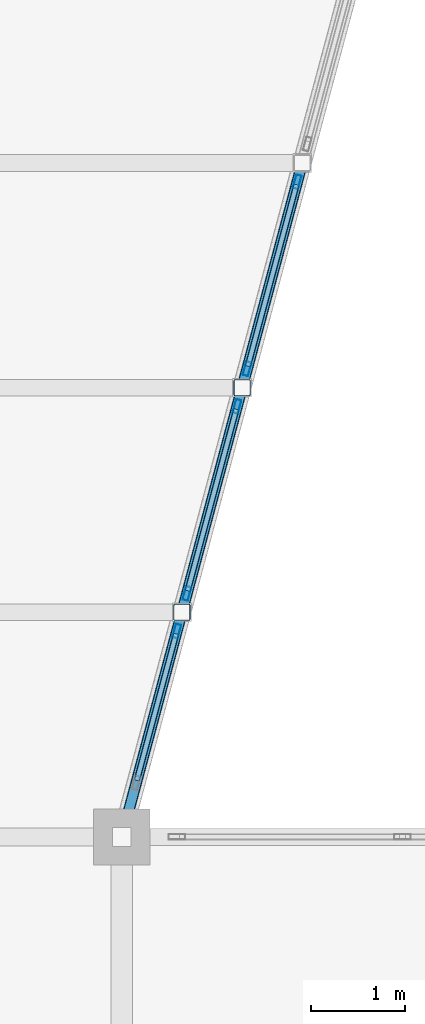
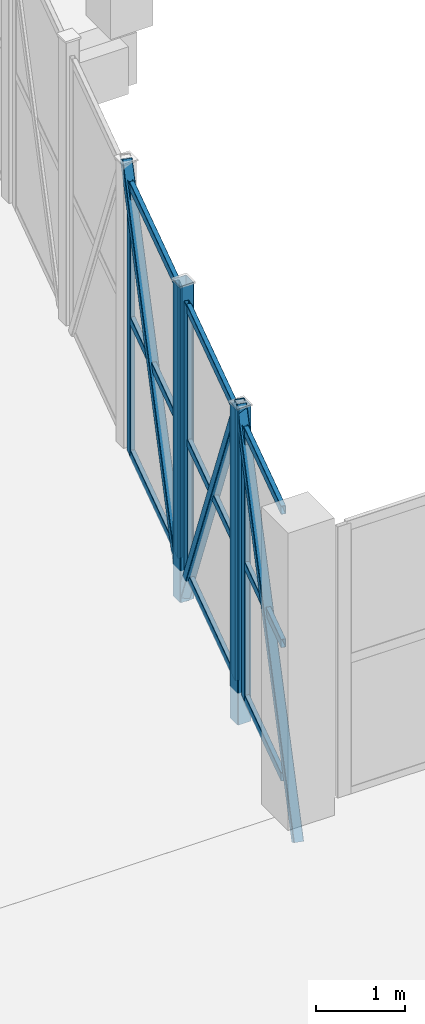
# One storey, part 81 of 127: 19 members, 3 elements without a shape of their own.
"""IFC4 building model written with IfcOpenShell, lengths in metres."""

from ifc_helpers import new_model, si_unit, direction, frame, origin, origin_2d, place, context, subcontext, project, spatial, hollow_rectangle, extrude, material, layer, layer_set, material_profile, profile_set, type_object, element, aggregate, save


model = new_model("IFC4")

# Units and contexts
model_context = context("Model", 3, precision=1e-05, world=origin(), true_north=direction((0.0, 1.0)))
body_context = subcontext(model_context, "Body", "Model", "MODEL_VIEW")
ifc_project = project(units=[si_unit("LENGTHUNIT", "METRE"), si_unit("AREAUNIT", "SQUARE_METRE"), si_unit("VOLUMEUNIT", "CUBIC_METRE"), si_unit("PLANEANGLEUNIT", "RADIAN"), si_unit("MASSUNIT", "GRAM", prefix="KILO")], contexts=[model_context])

# Site, building, storey
site_placement = place(None, origin())
site = spatial("IfcSite", under=ifc_project, at=site_placement, CompositionType="ELEMENT")
building_placement = place(site_placement, origin())
building = spatial("IfcBuilding", under=site, at=building_placement, Name="Dunvalen Ferry Terminal", CompositionType="ELEMENT")
storey_placement = place(building_placement, frame((0.0, 0.0, 5.760009765625)))
storey = spatial("IfcBuildingStorey", under=building, at=storey_placement, Name="L01", CompositionType="ELEMENT", Elevation=5.760009765625)

# Curtain wall, member
ifc_material_1 = material(Name="Anodised marine aluminium and solar-control glazing", Category="aluminium")
ifc_layer = layer(ifc_material_1, 0.159912109375, Name="Anodised marine aluminium and solar-control glazing")
ifc_layer_set = layer_set([ifc_layer], Name="Anodised marine aluminium and solar-control glazing")
curtain_wall_type = type_object("IfcCurtainWallType", Name="ENV-CW-SYS-07", PredefinedType="NOTDEFINED", material=ifc_layer_set)
curtain_wall_1_placement = place(storey_placement, origin())
curtain_wall_1 = element("IfcCurtainWall", 1, at=curtain_wall_1_placement, inside=storey, type_object=curtain_wall_type, Name="L01 Curtain Wall CW-BRG2-S2-1", PredefinedType="NOTDEFINED")
ifc_material_2 = material(Name="Anodised marine aluminium EN AW-6063 T6", Category="aluminium")
ifc_material_profile_1 = material_profile(ifc_material_2, hollow_rectangle(XDim=0.06005859375, YDim=0.14990234375, WallThickness=0.00341796875, InnerFilletRadius=0.00341796875, OuterFilletRadius=0.007080078125, at=origin_2d()), Name="Anodised marine aluminium EN AW-6063 T6")
ifc_profile_set_1 = profile_set([ifc_material_profile_1], Name="Anodised marine aluminium EN AW-6063 T6")
member_type_1 = type_object("IfcMemberType", Name="ENV-CW-MUL-3", PredefinedType="MULLION", material=ifc_profile_set_1)
member_1_placement = place(storey_placement, frame((138.589111328125, 88.59814453125, 0.0), z_axis=(0.0, 0.0, 1.0), x_axis=(-0.965919306501, 0.258843376057, 0.0)))
member_1 = element("IfcMember", 2, at=member_1_placement, type_object=member_type_1, Name="CW-07 mullion 2", PredefinedType="MULLION", context=body_context, shape_type="SweptSolid", body=[
    extrude(hollow_rectangle(XDim=0.06005859375, YDim=0.14990234375, WallThickness=0.00341796875, InnerFilletRadius=0.00341796875, OuterFilletRadius=0.007080078125, at=origin_2d()), origin(), (0.0, 0.0, 1.0), 3.719970703125),
])

# Curtain wall, members
curtain_wall_2_placement = place(storey_placement, origin())
curtain_wall_2 = element("IfcCurtainWall", 3, at=curtain_wall_2_placement, inside=storey, type_object=curtain_wall_type, Name="L01 Curtain Wall CW-BRG2-S2-2", PredefinedType="NOTDEFINED")
member_2_placement = place(storey_placement, frame((138.697265625, 89.001708984375, 0.0), z_axis=(0.0, 0.0, 1.0), x_axis=(-0.9659228666, 0.258830090561, 0.0)))
member_2 = element("IfcMember", 4, at=member_2_placement, type_object=member_type_1, Name="CW-07 mullion 1", PredefinedType="MULLION", context=body_context, shape_type="SweptSolid", body=[
    extrude(hollow_rectangle(XDim=0.06005859375, YDim=0.14990234375, WallThickness=0.00341796875, InnerFilletRadius=0.00341796875, OuterFilletRadius=0.007080078125, at=origin_2d()), origin(), (0.0, 0.0, 1.0), 3.719970703125),
])
member_3_placement = place(storey_placement, frame((139.232177734375, 90.998291015625, 0.0), z_axis=(0.0, 0.0, 1.0), x_axis=(-0.9659228666, 0.258830090561, 0.0)))
member_3 = element("IfcMember", 5, at=member_3_placement, type_object=member_type_1, Name="CW-07 mullion 2", PredefinedType="MULLION", context=body_context, shape_type="SweptSolid", body=[
    extrude(hollow_rectangle(XDim=0.06005859375, YDim=0.14990234375, WallThickness=0.00341796875, InnerFilletRadius=0.00341796875, OuterFilletRadius=0.007080078125, at=origin_2d()), origin(), (0.0, 0.0, 1.0), 3.719970703125),
])

curtain_wall_3_placement = place(storey_placement, origin())
curtain_wall_3 = element("IfcCurtainWall", 6, at=curtain_wall_3_placement, inside=storey, type_object=curtain_wall_type, Name="L01 Curtain Wall CW-BRG2-S2-3", PredefinedType="NOTDEFINED")
member_4_placement = place(storey_placement, frame((139.34033203125, 91.40185546875, 0.0), z_axis=(0.0, 0.0, 1.0), x_axis=(-0.965934620531, 0.258786222315, 0.0)))
member_4 = element("IfcMember", 7, at=member_4_placement, type_object=member_type_1, Name="CW-07 mullion 1", PredefinedType="MULLION", context=body_context, shape_type="SweptSolid", body=[
    extrude(hollow_rectangle(XDim=0.06005859375, YDim=0.14990234375, WallThickness=0.00341796875, InnerFilletRadius=0.00341796875, OuterFilletRadius=0.007080078125, at=origin_2d()), origin(), (0.0, 0.0, 1.0), 3.719970703125),
])
member_5_placement = place(storey_placement, frame((139.875244140625, 93.398193359375, 0.0), z_axis=(0.0, 0.0, 1.0), x_axis=(-0.965934620531, 0.258786222315, 0.0)))
member_5 = element("IfcMember", 8, at=member_5_placement, type_object=member_type_1, Name="CW-07 mullion 2", PredefinedType="MULLION", context=body_context, shape_type="SweptSolid", body=[
    extrude(hollow_rectangle(XDim=0.06005859375, YDim=0.14990234375, WallThickness=0.00341796875, InnerFilletRadius=0.00341796875, OuterFilletRadius=0.007080078125, at=origin_2d()), origin(), (0.0, 0.0, 1.0), 3.719970703125),
])

# Member
ifc_material_profile_2 = material_profile(ifc_material_2, hollow_rectangle(XDim=0.06005859375, YDim=0.114990234375, WallThickness=0.0029296875, InnerFilletRadius=0.0029296875, OuterFilletRadius=0.006103515625, at=origin_2d()), Name="Anodised marine aluminium EN AW-6063 T6")
ifc_profile_set_2 = profile_set([ifc_material_profile_2], Name="Anodised marine aluminium EN AW-6063 T6")
member_type_2 = type_object("IfcMemberType", Name="ENV-CW-TRN-3", PredefinedType="USERDEFINED", material=ifc_profile_set_2)
member_6_placement = place(storey_placement, frame((138.162109375, 87.005126953125, 0.030029296875), z_axis=(0.258854143134, 0.965916421117, 0.0), x_axis=(-0.965916421117, 0.258854143134, 0.0)))
member_6 = element("IfcMember", 9, at=member_6_placement, type_object=member_type_2, Name="CW-07 transom 1.1", ObjectType="TRANSOM", PredefinedType="USERDEFINED", context=body_context, shape_type="SweptSolid", body=[
    extrude(hollow_rectangle(XDim=0.06005859375, YDim=0.114990234375, WallThickness=0.0029296875, InnerFilletRadius=0.0029296875, OuterFilletRadius=0.006103515625, at=origin_2d()), origin(), (0.0, 0.0, 1.0), 1.619384765625),
])

member_7_placement = place(storey_placement, frame((138.162109375, 87.005126953125, 1.860107421875), z_axis=(0.258854143134, 0.965916421117, 0.0), x_axis=(-0.965916421117, 0.258854143134, 0.0)))
member_7 = element("IfcMember", 10, at=member_7_placement, type_object=member_type_2, Name="CW-07 transom 1.2", ObjectType="TRANSOM", PredefinedType="USERDEFINED", context=body_context, shape_type="SweptSolid", body=[
    extrude(hollow_rectangle(XDim=0.06005859375, YDim=0.114990234375, WallThickness=0.0029296875, InnerFilletRadius=0.0029296875, OuterFilletRadius=0.006103515625, at=origin_2d()), origin(), (0.0, 0.0, 1.0), 1.619384765625),
])

member_8_placement = place(storey_placement, frame((138.162109375, 87.005126953125, 3.68994140625), z_axis=(0.258854143134, 0.965916421117, 0.0), x_axis=(-0.965916421117, 0.258854143134, 0.0)))
member_8 = element("IfcMember", 11, at=member_8_placement, type_object=member_type_2, Name="CW-07 transom 1.3", ObjectType="TRANSOM", PredefinedType="USERDEFINED", context=body_context, shape_type="SweptSolid", body=[
    extrude(hollow_rectangle(XDim=0.06005859375, YDim=0.114990234375, WallThickness=0.0029296875, InnerFilletRadius=0.0029296875, OuterFilletRadius=0.006103515625, at=origin_2d()), origin(), (0.0, 0.0, 1.0), 1.619384765625),
])

aggregate(curtain_wall_1, [member_1, member_6, member_7, member_8])

member_9_placement = place(storey_placement, frame((138.704833984375, 89.03076171875, 0.030029296875), z_axis=(0.258873913014, 0.965911122806, 0.0), x_axis=(-0.965911122806, 0.258873913014, 0.0)))
member_9 = element("IfcMember", 12, at=member_9_placement, type_object=member_type_2, Name="CW-07 transom 1.1", ObjectType="TRANSOM", PredefinedType="USERDEFINED", context=body_context, shape_type="SweptSolid", body=[
    extrude(hollow_rectangle(XDim=0.06005859375, YDim=0.114990234375, WallThickness=0.0029296875, InnerFilletRadius=0.0029296875, OuterFilletRadius=0.006103515625, at=origin_2d()), origin(), (0.0, 0.0, 1.0), 2.0068359375),
])

member_10_placement = place(storey_placement, frame((138.704833984375, 89.03076171875, 1.860107421875), z_axis=(0.258873913014, 0.965911122806, 0.0), x_axis=(-0.965911122806, 0.258873913014, 0.0)))
member_10 = element("IfcMember", 13, at=member_10_placement, type_object=member_type_2, Name="CW-07 transom 1.2", ObjectType="TRANSOM", PredefinedType="USERDEFINED", context=body_context, shape_type="SweptSolid", body=[
    extrude(hollow_rectangle(XDim=0.06005859375, YDim=0.114990234375, WallThickness=0.0029296875, InnerFilletRadius=0.0029296875, OuterFilletRadius=0.006103515625, at=origin_2d()), origin(), (0.0, 0.0, 1.0), 2.0068359375),
])

member_11_placement = place(storey_placement, frame((138.704833984375, 89.03076171875, 3.68994140625), z_axis=(0.258873913014, 0.965911122806, 0.0), x_axis=(-0.965911122806, 0.258873913014, 0.0)))
member_11 = element("IfcMember", 14, at=member_11_placement, type_object=member_type_2, Name="CW-07 transom 1.3", ObjectType="TRANSOM", PredefinedType="USERDEFINED", context=body_context, shape_type="SweptSolid", body=[
    extrude(hollow_rectangle(XDim=0.06005859375, YDim=0.114990234375, WallThickness=0.0029296875, InnerFilletRadius=0.0029296875, OuterFilletRadius=0.006103515625, at=origin_2d()), origin(), (0.0, 0.0, 1.0), 2.0068359375),
])

aggregate(curtain_wall_2, [member_2, member_3, member_9, member_10, member_11])

member_12_placement = place(storey_placement, frame((139.34814453125, 91.4306640625, 0.030029296875), z_axis=(0.258760408924, 0.965941535898, 0.0), x_axis=(-0.965941535898, 0.258760408924, 0.0)))
member_12 = element("IfcMember", 15, at=member_12_placement, type_object=member_type_2, Name="CW-07 transom 1.1", ObjectType="TRANSOM", PredefinedType="USERDEFINED", context=body_context, shape_type="SweptSolid", body=[
    extrude(hollow_rectangle(XDim=0.06005859375, YDim=0.114990234375, WallThickness=0.0029296875, InnerFilletRadius=0.0029296875, OuterFilletRadius=0.006103515625, at=origin_2d()), origin(), (0.0, 0.0, 1.0), 2.0068359375),
])

member_13_placement = place(storey_placement, frame((139.34814453125, 91.4306640625, 1.860107421875), z_axis=(0.258760408924, 0.965941535898, 0.0), x_axis=(-0.965941535898, 0.258760408924, 0.0)))
member_13 = element("IfcMember", 16, at=member_13_placement, type_object=member_type_2, Name="CW-07 transom 1.2", ObjectType="TRANSOM", PredefinedType="USERDEFINED", context=body_context, shape_type="SweptSolid", body=[
    extrude(hollow_rectangle(XDim=0.06005859375, YDim=0.114990234375, WallThickness=0.0029296875, InnerFilletRadius=0.0029296875, OuterFilletRadius=0.006103515625, at=origin_2d()), origin(), (0.0, 0.0, 1.0), 2.0068359375),
])

member_14_placement = place(storey_placement, frame((139.34814453125, 91.4306640625, 3.68994140625), z_axis=(0.258760408924, 0.965941535898, 0.0), x_axis=(-0.965941535898, 0.258760408924, 0.0)))
member_14 = element("IfcMember", 17, at=member_14_placement, type_object=member_type_2, Name="CW-07 transom 1.3", ObjectType="TRANSOM", PredefinedType="USERDEFINED", context=body_context, shape_type="SweptSolid", body=[
    extrude(hollow_rectangle(XDim=0.06005859375, YDim=0.114990234375, WallThickness=0.0029296875, InnerFilletRadius=0.0029296875, OuterFilletRadius=0.006103515625, at=origin_2d()), origin(), (0.0, 0.0, 1.0), 2.0068359375),
])

aggregate(curtain_wall_3, [member_4, member_5, member_12, member_13, member_14])

# Members
ifc_material_3 = material(Name="Steel S355", Category="steel")
ifc_material_profile_3 = material_profile(ifc_material_3, hollow_rectangle(XDim=0.1201171875, YDim=0.1201171875, WallThickness=0.00634765625, InnerFilletRadius=0.00634765625, OuterFilletRadius=0.0126953125, at=origin_2d()), Name="Steel S355")
ifc_profile_set_3 = profile_set([ifc_material_profile_3], Name="Steel S355")
member_type_3 = type_object("IfcMemberType", Name="STR-MB-SHS120", PredefinedType="BRACE", material=ifc_profile_set_3)
for number, where, z_axis, x_axis, name in (
    (18, (138.0, 86.39990234375, -0.43994140625), (0.128591470582, 0.47994789191, 0.867821556972), (-0.965930947833, 0.258799930484, 0.0), "Boarding Bridge 2 Warren Diagonal 2.1"),
    (19, (138.64306640625, 88.800048828125, 3.89990234375), (0.128594483559, 0.479910316395, -0.867841890563), (-0.965924366126, 0.258824494443, 0.0), "Boarding Bridge 2 Warren Diagonal 2.2"),
    (20, (139.2861328125, 91.199951171875, -0.43994140625), (0.128591470582, 0.47994789191, 0.867821556972), (-0.965930947833, 0.258799930484, 0.0), "Boarding Bridge 2 Warren Diagonal 2.3"),
):
    element("IfcMember", number, at=place(storey_placement, frame(where, z_axis=z_axis, x_axis=x_axis)), inside=storey, type_object=member_type_3, Name=name, PredefinedType="BRACE", context=body_context, shape_type="SweptSolid", body=[
        extrude(hollow_rectangle(XDim=0.1201171875, YDim=0.1201171875, WallThickness=0.00634765625, InnerFilletRadius=0.00634765625, OuterFilletRadius=0.0126953125, at=origin_2d()), origin(), (0.0, 0.0, 1.0), 5.000732421875),
    ])
ifc_material_profile_4 = material_profile(ifc_material_3, hollow_rectangle(XDim=0.179931640625, YDim=0.179931640625, WallThickness=0.008056640625, InnerFilletRadius=0.008056640625, OuterFilletRadius=0.01611328125, at=origin_2d()), Name="Steel S355")
ifc_profile_set_4 = profile_set([ifc_material_profile_4], Name="Steel S355")
member_type_4 = type_object("IfcMemberType", Name="STR-MB-SHS180", PredefinedType="STRUT", material=ifc_profile_set_4)
for number, where, z_axis, x_axis, name in (
    (21, (138.64306640625, 88.800048828125, -0.43994140625), (0.0, 0.0, 1.0), (1.0, 0.0, 0.0), "Boarding Bridge 2 Truss Post 2.1"),
    (22, (139.2861328125, 91.199951171875, -0.43994140625), (0.0, 0.0, 1.0), (1.0, 0.0, 0.0), "Boarding Bridge 2 Truss Post 2.2"),
):
    element("IfcMember", number, at=place(storey_placement, frame(where, z_axis=z_axis, x_axis=x_axis)), inside=storey, type_object=member_type_4, Name=name, PredefinedType="STRUT", context=body_context, shape_type="SweptSolid", body=[
        extrude(hollow_rectangle(XDim=0.179931640625, YDim=0.179931640625, WallThickness=0.008056640625, InnerFilletRadius=0.008056640625, OuterFilletRadius=0.01611328125, at=origin_2d()), origin(), (0.0, 0.0, 1.0), 4.33984375),
    ])

save(model, "model.ifc")
